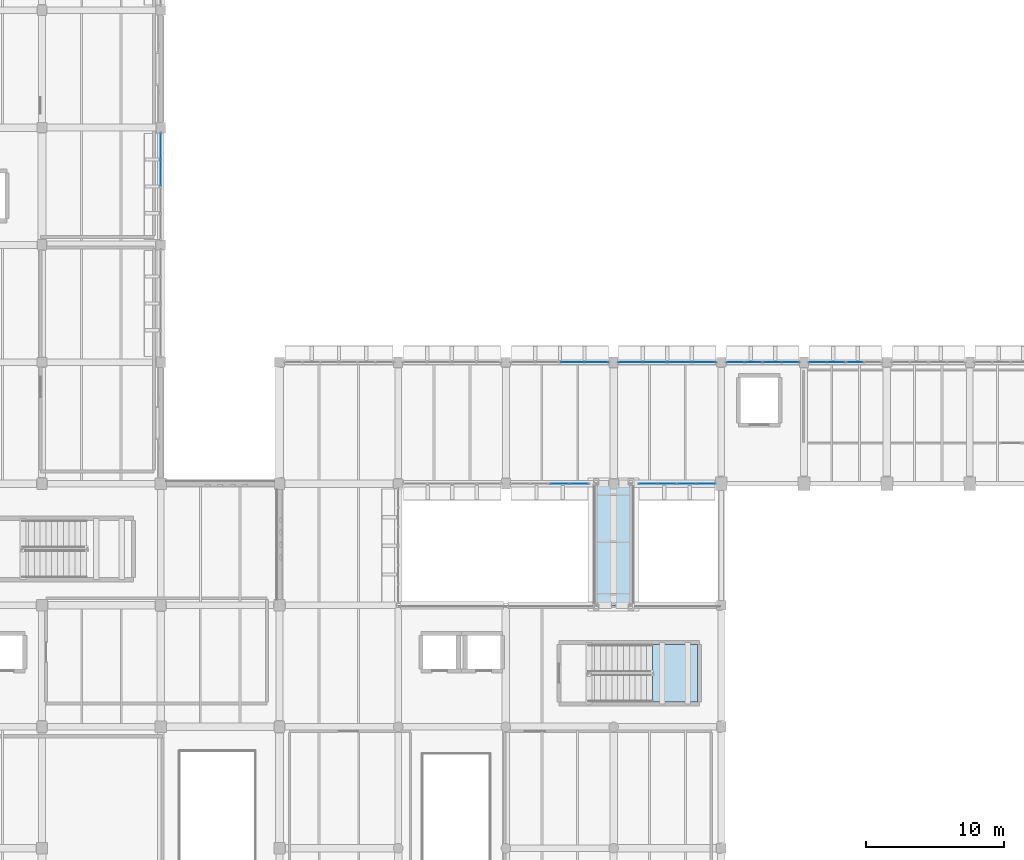
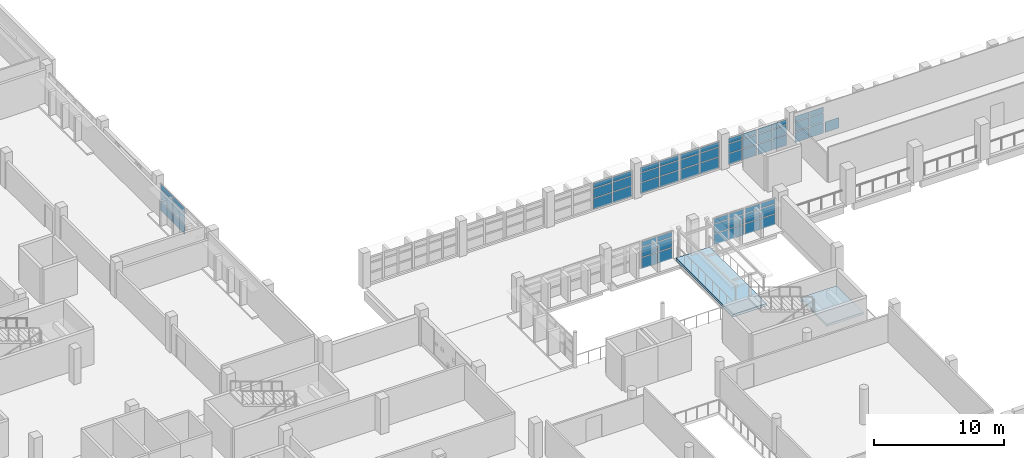
# One storey, part 48 of 75: 61 plates, 2 slabs, 12 elements without a shape of their own.
"""IFC4 building model written with IfcOpenShell, lengths in metres."""

import ifcopenshell
import ifcopenshell.guid

model = None  # the IFC model being written
_history = None  # IfcOwnerHistory: only IFC2X3 demands one
_inside = {}  # id of a spatial element -> (the spatial element, [elements in it])
_under = {}  # id of a project, library or spatial element -> (it, [spatial elements below it])
_declared = {}  # id of a project -> (the project, [libraries it declares])
_typed = {}  # id of a type object -> (the type object, [elements of that type])
_made_of = {}  # id of a material, layer set ... -> (it, [elements and type objects made of it])


def new_model(schema):
    """Start an empty IFC model of exactly this schema.

    Asked for "IFC4X3", IfcOpenShell would pick the latest addendum, in which some entities
    have other attributes; the version numbers below select the first issue.
    IFC2X3 requires an IfcOwnerHistory on every rooted entity: one is made here for all.
    """
    global model, _history
    if schema == "IFC4X3":
        model = ifcopenshell.file(schema_version=(4, 3, 0, 0))
    else:
        model = ifcopenshell.file(schema=schema)
    _inside.clear()
    _under.clear()
    _declared.clear()
    _typed.clear()
    _made_of.clear()
    _history = None
    if model.schema == "IFC2X3":
        org = make("IfcOrganization", Name="unknown")
        user = make(
            "IfcPersonAndOrganization",
            ThePerson=make("IfcPerson", FamilyName="unknown"),
            TheOrganization=org,
        )
        app = make(
            "IfcApplication",
            ApplicationDeveloper=org,
            Version="unknown",
            ApplicationFullName="unknown",
            ApplicationIdentifier="unknown",
        )
        _history = make(
            "IfcOwnerHistory",
            OwningUser=user,
            OwningApplication=app,
            ChangeAction="ADDED",
            CreationDate=0,
        )
    return model


def make(cls, **values):
    """One entity of the class cls with the attributes given. An attribute that is None is left unset."""
    return model.create_entity(
        cls, **{name: value for name, value in values.items() if value is not None}
    )


def rooted(cls, **values):
    """An entity with a GlobalId (a new one), such as an element, a storey or a relation."""
    return make(cls, GlobalId=ifcopenshell.guid.new(), OwnerHistory=_history, **values)


def si_unit(unit_type, name, prefix=None):
    """IfcSIUnit, for example si_unit("LENGTHUNIT", "METRE", prefix="MILLI")."""
    return make("IfcSIUnit", UnitType=unit_type, Prefix=prefix, Name=name)


def assignment(units):
    """IfcUnitAssignment: the units of a project."""
    return None if units is None else make("IfcUnitAssignment", Units=units)


def point(xyz):
    """IfcCartesianPoint."""
    return None if xyz is None else make("IfcCartesianPoint", Coordinates=xyz)


def direction(xyz):
    """IfcDirection."""
    return None if xyz is None else make("IfcDirection", DirectionRatios=xyz)


def frame(location, z_axis=None, x_axis=None):
    """IfcAxis2Placement3D, a coordinate frame: its origin and axes. An axis left out is left unset."""
    return make(
        "IfcAxis2Placement3D",
        Location=point(location),
        Axis=direction(z_axis),
        RefDirection=direction(x_axis),
    )


def frame_2d(location, x_axis=None):
    """IfcAxis2Placement2D, a coordinate frame in the plane: its origin and x axis."""
    return make(
        "IfcAxis2Placement2D", Location=point(location), RefDirection=direction(x_axis)
    )


def origin():
    """The frame at (0, 0, 0) with its axes left unset."""
    return frame((0.0, 0.0, 0.0))


def origin_2d():
    """The frame at (0, 0) in the plane with its x axis left unset."""
    return frame_2d((0.0, 0.0))


def place(relative_to, where):
    """IfcLocalPlacement: puts the frame where relative to a parent placement (None: the world)."""
    return make(
        "IfcLocalPlacement", PlacementRelTo=relative_to, RelativePlacement=where
    )


def context(
    kind, dimensions, precision=None, world=None, true_north=None, identifier=None
):
    """IfcGeometricRepresentationContext, for example the 3D "Model" context."""
    return make(
        "IfcGeometricRepresentationContext",
        ContextIdentifier=identifier,
        ContextType=kind,
        CoordinateSpaceDimension=dimensions,
        Precision=precision,
        WorldCoordinateSystem=world,
        TrueNorth=true_north,
    )


def subcontext(parent, identifier, kind, view, scale=None):
    """IfcGeometricRepresentationSubContext, for example "Body" below "Model"."""
    return make(
        "IfcGeometricRepresentationSubContext",
        ContextIdentifier=identifier,
        ContextType=kind,
        ParentContext=parent,
        TargetScale=scale,
        TargetView=view,
    )


def project(units=None, contexts=None):
    """IfcProject with its units and contexts."""
    return rooted(
        "IfcProject",
        Name="project",
        RepresentationContexts=contexts,
        UnitsInContext=assignment(units),
    )


def spatial(cls, under=None, at=None, **own):
    """A site, building, storey or space (cls), placed at a placement, below another one or the project."""
    s = rooted(cls, ObjectPlacement=at, **own)
    if under is not None:
        _under.setdefault(under.id(), (under, []))[1].append(s)
    return s


def polyline(points):
    """IfcPolyline through the points."""
    return make("IfcPolyline", Points=[point(p) for p in points])


def profile(cls, at=None, kind="AREA", **sizes):
    """A parametric profile (cls). Its sizes go by their IFC names, for example OverallWidth=200.0."""
    return make(cls, ProfileType=kind, Position=at, **sizes)


def rectangle(**sizes):
    """IfcRectangleProfileDef."""
    return profile("IfcRectangleProfileDef", **sizes)


def outline(outer, holes=None, kind="AREA"):
    """IfcArbitraryClosedProfileDef: a profile drawn as a closed curve; with holes, ...WithVoids."""
    if holes is None:
        return make("IfcArbitraryClosedProfileDef", ProfileType=kind, OuterCurve=outer)
    return make(
        "IfcArbitraryProfileDefWithVoids",
        ProfileType=kind,
        OuterCurve=outer,
        InnerCurves=holes,
    )


def extrude(swept, where, along, depth):
    """IfcExtrudedAreaSolid: the profile swept, set in the frame where, extruded along a direction by depth."""
    return make(
        "IfcExtrudedAreaSolid",
        SweptArea=swept,
        Position=where,
        ExtrudedDirection=direction(along),
        Depth=depth,
    )


def shape(context_of_items, identifier, shape_type, items):
    """IfcShapeRepresentation: the items that make up one representation, for example the "Body"."""
    return make(
        "IfcShapeRepresentation",
        ContextOfItems=context_of_items,
        RepresentationIdentifier=identifier,
        RepresentationType=shape_type,
        Items=items,
    )


def material(Name=None, Category=None):
    """IfcMaterial."""
    return make("IfcMaterial", Name=Name, Category=Category)


def layer(
    of_material, thickness, ventilated=None, Name=None, Category=None, Priority=None
):
    """IfcMaterialLayer: one layer of a wall or slab, of a material (None: an air gap)."""
    return make(
        "IfcMaterialLayer",
        Material=of_material,
        LayerThickness=thickness,
        IsVentilated=ventilated,
        Name=Name,
        Category=Category,
        Priority=Priority,
    )


def layer_set(layers, Name=None):
    """IfcMaterialLayerSet."""
    return make("IfcMaterialLayerSet", MaterialLayers=layers, LayerSetName=Name)


def made_of(thing, what):
    """Note that an element or type object is made of a material, layer set ...; save() writes the relation."""
    if what is not None:
        _made_of.setdefault(what.id(), (what, []))[1].append(thing)
    return thing


def type_object(cls, material=None, **own):
    """A type object (cls), such as IfcWallType, which elements share."""
    return made_of(rooted(cls, **own), material)


def element(
    cls,
    number,
    at=None,
    inside=None,
    cuts=None,
    type_object=None,
    material=None,
    context=None,
    identifier="Body",
    shape_type=None,
    held_by="IfcProductDefinitionShape",
    body=None,
    shapes=None,
    **own,
):
    """One element of the class cls, such as IfcWall. Its Tag is "e" and its number.

    at: its placement. inside: the storey or other place that contains it. cuts: it is an
    opening in that element (IfcRelVoidsElement). A single representation is given by context,
    identifier, shape_type and body (its items); several are given by shapes. held_by: the class
    of the entity that holds the representations. save() writes the other relations.
    """
    e = rooted(cls, Tag="e%d" % number, ObjectPlacement=at, **own)
    if body is not None:
        shapes = [shape(context, identifier, shape_type, body)]
    if shapes is not None:
        e.Representation = make(held_by, Representations=shapes)
    if inside is not None:
        _inside.setdefault(inside.id(), (inside, []))[1].append(e)
    if cuts is not None:
        rooted(
            "IfcRelVoidsElement", RelatingBuildingElement=cuts, RelatedOpeningElement=e
        )
    if type_object is not None:
        _typed.setdefault(type_object.id(), (type_object, []))[1].append(e)
    return made_of(e, material)


def aggregate(whole, parts):
    """IfcRelAggregates: a whole, such as a stair, and the parts it consists of."""
    return rooted("IfcRelAggregates", RelatingObject=whole, RelatedObjects=parts)


def save(model, path):
    """Write the relations noted so far, then the file.

    IfcRelAggregates (storeys below a building ...), IfcRelContainedInSpatialStructure (elements
    in a storey), IfcRelDefinesByType, IfcRelAssociatesMaterial and IfcRelDeclares: one each for
    every whole, place, type object, material and project.
    """
    for whole, parts in _under.values():
        aggregate(whole, parts)
    for where, things in _inside.values():
        rooted(
            "IfcRelContainedInSpatialStructure",
            RelatedElements=things,
            RelatingStructure=where,
        )
    for kind, things in _typed.values():
        rooted("IfcRelDefinesByType", RelatedObjects=things, RelatingType=kind)
    for what, things in _made_of.values():
        rooted("IfcRelAssociatesMaterial", RelatedObjects=things, RelatingMaterial=what)
    for by, libraries in _declared.values():
        rooted("IfcRelDeclares", RelatingContext=by, RelatedDefinitions=libraries)
    model.write(path)


model = new_model("IFC4")

# Units and contexts
model_context = context("Model", 3, precision=1e-05, world=origin(), true_north=direction((0.0, 1.0)))
body_context = subcontext(model_context, "Body", "Model", "MODEL_VIEW")
ifc_project = project(units=[si_unit("LENGTHUNIT", "METRE"), si_unit("AREAUNIT", "SQUARE_METRE"), si_unit("VOLUMEUNIT", "CUBIC_METRE"), si_unit("PLANEANGLEUNIT", "RADIAN"), si_unit("MASSUNIT", "GRAM", prefix="KILO")], contexts=[model_context])

# Site, building, storey
site_placement = place(None, origin())
site = spatial("IfcSite", under=ifc_project, at=site_placement, CompositionType="ELEMENT")
building_placement = place(site_placement, origin())
building = spatial("IfcBuilding", under=site, at=building_placement, Name="Varnakota Cinema and Media Centre", CompositionType="ELEMENT")
storey_placement = place(building_placement, frame((0.0, 0.0, 8.39990234375)))
storey = spatial("IfcBuildingStorey", under=building, at=storey_placement, Name="L02", CompositionType="ELEMENT", Elevation=8.39990234375)

# Curtain wall, plates
ifc_material_1 = material(Name="Thermally broken anodised aluminium AW-6063", Category="aluminium")
curtain_wall_type_1 = type_object("IfcCurtainWallType", Name="CW-STD-264x258", PredefinedType="USERDEFINED", material=ifc_material_1)
curtain_wall_1_placement = place(storey_placement, origin())
curtain_wall_1 = element("IfcCurtainWall", 1, at=curtain_wall_1_placement, inside=storey, type_object=curtain_wall_type_1, Name="L02 curtain wall CW-L02-V1-N-01-1", ObjectType="UNITISED CURTAIN WALL", PredefinedType="USERDEFINED")
ifc_material_2 = material(Name="Laminated solar-control double glazing", Category="glass")
ifc_layer_1 = layer(ifc_material_2, 0.028076171875)
ifc_layer_set_1 = layer_set([ifc_layer_1], Name="Laminated solar-control double glazing")
plate_type = type_object("IfcPlateType", Name="CWP-DGU-28", PredefinedType="CURTAIN_PANEL", material=ifc_layer_set_1)
plate_1_placement = place(storey_placement, frame((76.02685546875, 44.0, 0.065185546875), z_axis=(0.0, 0.0, 1.0), x_axis=(1.0, 0.0, 0.0)))
plate_1 = element("IfcPlate", 2, at=plate_1_placement, type_object=plate_type, Name="CW29 panel 1.1", PredefinedType="CURTAIN_PANEL", context=body_context, shape_type="SweptSolid", body=[
    extrude(rectangle(XDim=1.2236328125, YDim=0.028076171875, at=origin_2d()), origin(), (0.0, 0.0, 1.0), 0.98388671875),
])
plate_2_placement = place(storey_placement, frame((76.02685546875, 44.0, 1.1142578125), z_axis=(0.0, 0.0, 1.0), x_axis=(1.0, 0.0, 0.0)))
plate_2 = element("IfcPlate", 3, at=plate_2_placement, type_object=plate_type, Name="CW29 panel 1.2", PredefinedType="CURTAIN_PANEL", context=body_context, shape_type="SweptSolid", body=[
    extrude(rectangle(XDim=1.2236328125, YDim=0.028076171875, at=origin_2d()), origin(), (0.0, 0.0, 1.0), 0.862060546875),
])
plate_3_placement = place(storey_placement, frame((76.02685546875, 44.0, 2.041015625), z_axis=(0.0, 0.0, 1.0), x_axis=(1.0, 0.0, 0.0)))
plate_3 = element("IfcPlate", 4, at=plate_3_placement, type_object=plate_type, Name="CW29 panel 1.3", PredefinedType="CURTAIN_PANEL", context=body_context, shape_type="SweptSolid", body=[
    extrude(rectangle(XDim=1.2236328125, YDim=0.028076171875, at=origin_2d()), origin(), (0.0, 0.0, 1.0), 0.468994140625),
])
plate_4_placement = place(storey_placement, frame((77.315673828125, 44.0, 0.065185546875), z_axis=(0.0, 0.0, 1.0), x_axis=(1.0, 0.0, 0.0)))
plate_4 = element("IfcPlate", 5, at=plate_4_placement, type_object=plate_type, Name="CW29 panel 2.1", PredefinedType="CURTAIN_PANEL", context=body_context, shape_type="SweptSolid", body=[
    extrude(rectangle(XDim=1.2236328125, YDim=0.028076171875, at=origin_2d()), origin(), (0.0, 0.0, 1.0), 0.98388671875),
])
plate_5_placement = place(storey_placement, frame((77.315673828125, 44.0, 1.1142578125), z_axis=(0.0, 0.0, 1.0), x_axis=(1.0, 0.0, 0.0)))
plate_5 = element("IfcPlate", 6, at=plate_5_placement, type_object=plate_type, Name="CW29 panel 2.2", PredefinedType="CURTAIN_PANEL", context=body_context, shape_type="SweptSolid", body=[
    extrude(rectangle(XDim=1.2236328125, YDim=0.028076171875, at=origin_2d()), origin(), (0.0, 0.0, 1.0), 0.862060546875),
])
plate_6_placement = place(storey_placement, frame((77.315673828125, 44.0, 2.041015625), z_axis=(0.0, 0.0, 1.0), x_axis=(1.0, 0.0, 0.0)))
plate_6 = element("IfcPlate", 7, at=plate_6_placement, type_object=plate_type, Name="CW29 panel 2.3", PredefinedType="CURTAIN_PANEL", context=body_context, shape_type="SweptSolid", body=[
    extrude(rectangle(XDim=1.2236328125, YDim=0.028076171875, at=origin_2d()), origin(), (0.0, 0.0, 1.0), 0.468994140625),
])
aggregate(curtain_wall_1, [plate_1, plate_2, plate_3, plate_4, plate_5, plate_6])

curtain_wall_2_placement = place(storey_placement, origin())
curtain_wall_2 = element("IfcCurtainWall", 8, at=curtain_wall_2_placement, inside=storey, type_object=curtain_wall_type_1, Name="L02 curtain wall CW-L02-V1-N-01-2", ObjectType="UNITISED CURTAIN WALL", PredefinedType="USERDEFINED")
plate_7_placement = place(storey_placement, frame((78.70947265625, 44.0, 0.065185546875), z_axis=(0.0, 0.0, 1.0), x_axis=(1.0, 0.0, 0.0)))
plate_7 = element("IfcPlate", 9, at=plate_7_placement, type_object=plate_type, Name="CW29 panel 1.1", PredefinedType="CURTAIN_PANEL", context=body_context, shape_type="SweptSolid", body=[
    extrude(rectangle(XDim=1.2236328125, YDim=0.028076171875, at=origin_2d()), origin(), (0.0, 0.0, 1.0), 0.98388671875),
])
plate_8_placement = place(storey_placement, frame((78.70947265625, 44.0, 1.1142578125), z_axis=(0.0, 0.0, 1.0), x_axis=(1.0, 0.0, 0.0)))
plate_8 = element("IfcPlate", 10, at=plate_8_placement, type_object=plate_type, Name="CW29 panel 1.2", PredefinedType="CURTAIN_PANEL", context=body_context, shape_type="SweptSolid", body=[
    extrude(rectangle(XDim=1.2236328125, YDim=0.028076171875, at=origin_2d()), origin(), (0.0, 0.0, 1.0), 0.862060546875),
])
plate_9_placement = place(storey_placement, frame((78.70947265625, 44.0, 2.041015625), z_axis=(0.0, 0.0, 1.0), x_axis=(1.0, 0.0, 0.0)))
plate_9 = element("IfcPlate", 11, at=plate_9_placement, type_object=plate_type, Name="CW29 panel 1.3", PredefinedType="CURTAIN_PANEL", context=body_context, shape_type="SweptSolid", body=[
    extrude(rectangle(XDim=1.2236328125, YDim=0.028076171875, at=origin_2d()), origin(), (0.0, 0.0, 1.0), 0.468994140625),
])
plate_10_placement = place(storey_placement, frame((79.998046875, 44.0, 0.065185546875), z_axis=(0.0, 0.0, 1.0), x_axis=(1.0, 0.0, 0.0)))
plate_10 = element("IfcPlate", 12, at=plate_10_placement, type_object=plate_type, Name="CW29 panel 2.1", PredefinedType="CURTAIN_PANEL", context=body_context, shape_type="SweptSolid", body=[
    extrude(rectangle(XDim=1.2236328125, YDim=0.028076171875, at=origin_2d()), origin(), (0.0, 0.0, 1.0), 0.98388671875),
])
plate_11_placement = place(storey_placement, frame((79.998046875, 44.0, 1.1142578125), z_axis=(0.0, 0.0, 1.0), x_axis=(1.0, 0.0, 0.0)))
plate_11 = element("IfcPlate", 13, at=plate_11_placement, type_object=plate_type, Name="CW29 panel 2.2", PredefinedType="CURTAIN_PANEL", context=body_context, shape_type="SweptSolid", body=[
    extrude(rectangle(XDim=1.2236328125, YDim=0.028076171875, at=origin_2d()), origin(), (0.0, 0.0, 1.0), 0.862060546875),
])
plate_12_placement = place(storey_placement, frame((79.998046875, 44.0, 2.041015625), z_axis=(0.0, 0.0, 1.0), x_axis=(1.0, 0.0, 0.0)))
plate_12 = element("IfcPlate", 14, at=plate_12_placement, type_object=plate_type, Name="CW29 panel 2.3", PredefinedType="CURTAIN_PANEL", context=body_context, shape_type="SweptSolid", body=[
    extrude(rectangle(XDim=1.2236328125, YDim=0.028076171875, at=origin_2d()), origin(), (0.0, 0.0, 1.0), 0.468994140625),
])
aggregate(curtain_wall_2, [plate_7, plate_8, plate_9, plate_10, plate_11, plate_12])

curtain_wall_3_placement = place(storey_placement, origin())
curtain_wall_3 = element("IfcCurtainWall", 15, at=curtain_wall_3_placement, inside=storey, type_object=curtain_wall_type_1, Name="L02 curtain wall CW-L02-V1-N-02-1", ObjectType="UNITISED CURTAIN WALL", PredefinedType="USERDEFINED")
plate_13_placement = place(storey_placement, frame((82.001953125, 44.0, 0.065185546875), z_axis=(0.0, 0.0, 1.0), x_axis=(1.0, 0.0, 0.0)))
plate_13 = element("IfcPlate", 16, at=plate_13_placement, type_object=plate_type, Name="CW29 panel 1.1", PredefinedType="CURTAIN_PANEL", context=body_context, shape_type="SweptSolid", body=[
    extrude(rectangle(XDim=1.2236328125, YDim=0.028076171875, at=origin_2d()), origin(), (0.0, 0.0, 1.0), 0.98388671875),
])
plate_14_placement = place(storey_placement, frame((82.001953125, 44.0, 1.1142578125), z_axis=(0.0, 0.0, 1.0), x_axis=(1.0, 0.0, 0.0)))
plate_14 = element("IfcPlate", 17, at=plate_14_placement, type_object=plate_type, Name="CW29 panel 1.2", PredefinedType="CURTAIN_PANEL", context=body_context, shape_type="SweptSolid", body=[
    extrude(rectangle(XDim=1.2236328125, YDim=0.028076171875, at=origin_2d()), origin(), (0.0, 0.0, 1.0), 0.862060546875),
])
plate_15_placement = place(storey_placement, frame((82.001953125, 44.0, 2.041015625), z_axis=(0.0, 0.0, 1.0), x_axis=(1.0, 0.0, 0.0)))
plate_15 = element("IfcPlate", 18, at=plate_15_placement, type_object=plate_type, Name="CW29 panel 1.3", PredefinedType="CURTAIN_PANEL", context=body_context, shape_type="SweptSolid", body=[
    extrude(rectangle(XDim=1.2236328125, YDim=0.028076171875, at=origin_2d()), origin(), (0.0, 0.0, 1.0), 0.468994140625),
])
plate_16_placement = place(storey_placement, frame((83.29052734375, 44.0, 0.065185546875), z_axis=(0.0, 0.0, 1.0), x_axis=(1.0, 0.0, 0.0)))
plate_16 = element("IfcPlate", 19, at=plate_16_placement, type_object=plate_type, Name="CW29 panel 2.1", PredefinedType="CURTAIN_PANEL", context=body_context, shape_type="SweptSolid", body=[
    extrude(rectangle(XDim=1.2236328125, YDim=0.028076171875, at=origin_2d()), origin(), (0.0, 0.0, 1.0), 0.98388671875),
])
plate_17_placement = place(storey_placement, frame((83.29052734375, 44.0, 1.1142578125), z_axis=(0.0, 0.0, 1.0), x_axis=(1.0, 0.0, 0.0)))
plate_17 = element("IfcPlate", 20, at=plate_17_placement, type_object=plate_type, Name="CW29 panel 2.2", PredefinedType="CURTAIN_PANEL", context=body_context, shape_type="SweptSolid", body=[
    extrude(rectangle(XDim=1.2236328125, YDim=0.028076171875, at=origin_2d()), origin(), (0.0, 0.0, 1.0), 0.862060546875),
])
plate_18_placement = place(storey_placement, frame((83.29052734375, 44.0, 2.041015625), z_axis=(0.0, 0.0, 1.0), x_axis=(1.0, 0.0, 0.0)))
plate_18 = element("IfcPlate", 21, at=plate_18_placement, type_object=plate_type, Name="CW29 panel 2.3", PredefinedType="CURTAIN_PANEL", context=body_context, shape_type="SweptSolid", body=[
    extrude(rectangle(XDim=1.2236328125, YDim=0.028076171875, at=origin_2d()), origin(), (0.0, 0.0, 1.0), 0.468994140625),
])
aggregate(curtain_wall_3, [plate_13, plate_14, plate_15, plate_16, plate_17, plate_18])

# Curtain wall, plate
curtain_wall_4_placement = place(storey_placement, origin())
curtain_wall_4 = element("IfcCurtainWall", 22, at=curtain_wall_4_placement, inside=storey, type_object=curtain_wall_type_1, Name="L02 curtain wall CW-L02-V1-N-02-2", ObjectType="UNITISED CURTAIN WALL", PredefinedType="USERDEFINED")
plate_19_placement = place(storey_placement, frame((84.684326171875, 44.0, 0.065185546875), z_axis=(0.0, 0.0, 1.0), x_axis=(1.0, 0.0, 0.0)))
plate_19 = element("IfcPlate", 23, at=plate_19_placement, type_object=plate_type, Name="CW29 panel 1.1", PredefinedType="CURTAIN_PANEL", context=body_context, shape_type="SweptSolid", body=[
    extrude(rectangle(XDim=1.2236328125, YDim=0.028076171875, at=origin_2d()), origin(), (0.0, 0.0, 1.0), 0.98388671875),
])
aggregate(curtain_wall_4, [plate_19])

# Curtain wall, plates
ifc_material_3 = material(Name="Thermally broken anodised aluminium AW-6063", Category="aluminium")
curtain_wall_type_2 = type_object("IfcCurtainWallType", Name="CW-STD-354x258", PredefinedType="USERDEFINED", material=ifc_material_3)
curtain_wall_5_placement = place(storey_placement, origin())
curtain_wall_5 = element("IfcCurtainWall", 24, at=curtain_wall_5_placement, inside=storey, type_object=curtain_wall_type_2, Name="L02 curtain wall CW-L02-LINK-N-03-2", ObjectType="UNITISED CURTAIN WALL", PredefinedType="USERDEFINED")
plate_20_placement = place(storey_placement, frame((64.234375, 44.0, 0.065185546875), z_axis=(0.0, 0.0, 1.0), x_axis=(1.0, 0.0, 0.0)))
plate_20 = element("IfcPlate", 25, at=plate_20_placement, type_object=plate_type, Name="CW31 panel 1.1", PredefinedType="CURTAIN_PANEL", context=body_context, shape_type="SweptSolid", body=[
    extrude(rectangle(XDim=1.673828125, YDim=0.028076171875, at=origin_2d()), origin(), (0.0, 0.0, 1.0), 0.98388671875),
])
plate_21_placement = place(storey_placement, frame((64.234375, 44.0, 1.1142578125), z_axis=(0.0, 0.0, 1.0), x_axis=(1.0, 0.0, 0.0)))
plate_21 = element("IfcPlate", 26, at=plate_21_placement, type_object=plate_type, Name="CW31 panel 1.2", PredefinedType="CURTAIN_PANEL", context=body_context, shape_type="SweptSolid", body=[
    extrude(rectangle(XDim=1.673828125, YDim=0.028076171875, at=origin_2d()), origin(), (0.0, 0.0, 1.0), 0.862060546875),
])
plate_22_placement = place(storey_placement, frame((64.234375, 44.0, 2.041015625), z_axis=(0.0, 0.0, 1.0), x_axis=(1.0, 0.0, 0.0)))
plate_22 = element("IfcPlate", 27, at=plate_22_placement, type_object=plate_type, Name="CW31 panel 1.3", PredefinedType="CURTAIN_PANEL", context=body_context, shape_type="SweptSolid", body=[
    extrude(rectangle(XDim=1.673828125, YDim=0.028076171875, at=origin_2d()), origin(), (0.0, 0.0, 1.0), 0.468994140625),
])
plate_23_placement = place(storey_placement, frame((65.97314453125, 44.0, 0.065185546875), z_axis=(0.0, 0.0, 1.0), x_axis=(1.0, 0.0, 0.0)))
plate_23 = element("IfcPlate", 28, at=plate_23_placement, type_object=plate_type, Name="CW31 panel 2.1", PredefinedType="CURTAIN_PANEL", context=body_context, shape_type="SweptSolid", body=[
    extrude(rectangle(XDim=1.673828125, YDim=0.028076171875, at=origin_2d()), origin(), (0.0, 0.0, 1.0), 0.98388671875),
])
plate_24_placement = place(storey_placement, frame((65.97314453125, 44.0, 1.1142578125), z_axis=(0.0, 0.0, 1.0), x_axis=(1.0, 0.0, 0.0)))
plate_24 = element("IfcPlate", 29, at=plate_24_placement, type_object=plate_type, Name="CW31 panel 2.2", PredefinedType="CURTAIN_PANEL", context=body_context, shape_type="SweptSolid", body=[
    extrude(rectangle(XDim=1.673828125, YDim=0.028076171875, at=origin_2d()), origin(), (0.0, 0.0, 1.0), 0.862060546875),
])
plate_25_placement = place(storey_placement, frame((65.97314453125, 44.0, 2.041015625), z_axis=(0.0, 0.0, 1.0), x_axis=(1.0, 0.0, 0.0)))
plate_25 = element("IfcPlate", 30, at=plate_25_placement, type_object=plate_type, Name="CW31 panel 2.3", PredefinedType="CURTAIN_PANEL", context=body_context, shape_type="SweptSolid", body=[
    extrude(rectangle(XDim=1.673828125, YDim=0.028076171875, at=origin_2d()), origin(), (0.0, 0.0, 1.0), 0.468994140625),
])
aggregate(curtain_wall_5, [plate_20, plate_21, plate_22, plate_23, plate_24, plate_25])

curtain_wall_6_placement = place(storey_placement, origin())
curtain_wall_6 = element("IfcCurtainWall", 31, at=curtain_wall_6_placement, inside=storey, type_object=curtain_wall_type_2, Name="L02 curtain wall CW-L02-LINK-N-04-1", ObjectType="UNITISED CURTAIN WALL", PredefinedType="USERDEFINED")
plate_26_placement = place(storey_placement, frame((68.4267578125, 44.0, 0.065185546875), z_axis=(0.0, 0.0, 1.0), x_axis=(1.0, 0.0, 0.0)))
plate_26 = element("IfcPlate", 32, at=plate_26_placement, type_object=plate_type, Name="CW31 panel 1.1", PredefinedType="CURTAIN_PANEL", context=body_context, shape_type="SweptSolid", body=[
    extrude(rectangle(XDim=1.673828125, YDim=0.028076171875, at=origin_2d()), origin(), (0.0, 0.0, 1.0), 0.98388671875),
])
plate_27_placement = place(storey_placement, frame((68.4267578125, 44.0, 1.1142578125), z_axis=(0.0, 0.0, 1.0), x_axis=(1.0, 0.0, 0.0)))
plate_27 = element("IfcPlate", 33, at=plate_27_placement, type_object=plate_type, Name="CW31 panel 1.2", PredefinedType="CURTAIN_PANEL", context=body_context, shape_type="SweptSolid", body=[
    extrude(rectangle(XDim=1.673828125, YDim=0.028076171875, at=origin_2d()), origin(), (0.0, 0.0, 1.0), 0.862060546875),
])
plate_28_placement = place(storey_placement, frame((68.4267578125, 44.0, 2.041015625), z_axis=(0.0, 0.0, 1.0), x_axis=(1.0, 0.0, 0.0)))
plate_28 = element("IfcPlate", 34, at=plate_28_placement, type_object=plate_type, Name="CW31 panel 1.3", PredefinedType="CURTAIN_PANEL", context=body_context, shape_type="SweptSolid", body=[
    extrude(rectangle(XDim=1.673828125, YDim=0.028076171875, at=origin_2d()), origin(), (0.0, 0.0, 1.0), 0.468994140625),
])
plate_29_placement = place(storey_placement, frame((70.16552734375, 44.0, 0.065185546875), z_axis=(0.0, 0.0, 1.0), x_axis=(1.0, 0.0, 0.0)))
plate_29 = element("IfcPlate", 35, at=plate_29_placement, type_object=plate_type, Name="CW31 panel 2.1", PredefinedType="CURTAIN_PANEL", context=body_context, shape_type="SweptSolid", body=[
    extrude(rectangle(XDim=1.673828125, YDim=0.028076171875, at=origin_2d()), origin(), (0.0, 0.0, 1.0), 0.98388671875),
])
plate_30_placement = place(storey_placement, frame((70.16552734375, 44.0, 1.1142578125), z_axis=(0.0, 0.0, 1.0), x_axis=(1.0, 0.0, 0.0)))
plate_30 = element("IfcPlate", 36, at=plate_30_placement, type_object=plate_type, Name="CW31 panel 2.2", PredefinedType="CURTAIN_PANEL", context=body_context, shape_type="SweptSolid", body=[
    extrude(rectangle(XDim=1.673828125, YDim=0.028076171875, at=origin_2d()), origin(), (0.0, 0.0, 1.0), 0.862060546875),
])
plate_31_placement = place(storey_placement, frame((70.16552734375, 44.0, 2.041015625), z_axis=(0.0, 0.0, 1.0), x_axis=(1.0, 0.0, 0.0)))
plate_31 = element("IfcPlate", 37, at=plate_31_placement, type_object=plate_type, Name="CW31 panel 2.3", PredefinedType="CURTAIN_PANEL", context=body_context, shape_type="SweptSolid", body=[
    extrude(rectangle(XDim=1.673828125, YDim=0.028076171875, at=origin_2d()), origin(), (0.0, 0.0, 1.0), 0.468994140625),
])
aggregate(curtain_wall_6, [plate_26, plate_27, plate_28, plate_29, plate_30, plate_31])

curtain_wall_7_placement = place(storey_placement, origin())
curtain_wall_7 = element("IfcCurtainWall", 38, at=curtain_wall_7_placement, inside=storey, type_object=curtain_wall_type_2, Name="L02 curtain wall CW-L02-LINK-N-04-2", ObjectType="UNITISED CURTAIN WALL", PredefinedType="USERDEFINED")
plate_32_placement = place(storey_placement, frame((72.00927734375, 44.0, 0.065185546875), z_axis=(0.0, 0.0, 1.0), x_axis=(1.0, 0.0, 0.0)))
plate_32 = element("IfcPlate", 39, at=plate_32_placement, type_object=plate_type, Name="CW31 panel 1.1", PredefinedType="CURTAIN_PANEL", context=body_context, shape_type="SweptSolid", body=[
    extrude(rectangle(XDim=1.673828125, YDim=0.028076171875, at=origin_2d()), origin(), (0.0, 0.0, 1.0), 0.98388671875),
])
plate_33_placement = place(storey_placement, frame((72.00927734375, 44.0, 1.1142578125), z_axis=(0.0, 0.0, 1.0), x_axis=(1.0, 0.0, 0.0)))
plate_33 = element("IfcPlate", 40, at=plate_33_placement, type_object=plate_type, Name="CW31 panel 1.2", PredefinedType="CURTAIN_PANEL", context=body_context, shape_type="SweptSolid", body=[
    extrude(rectangle(XDim=1.673828125, YDim=0.028076171875, at=origin_2d()), origin(), (0.0, 0.0, 1.0), 0.862060546875),
])
plate_34_placement = place(storey_placement, frame((72.00927734375, 44.0, 2.041015625), z_axis=(0.0, 0.0, 1.0), x_axis=(1.0, 0.0, 0.0)))
plate_34 = element("IfcPlate", 41, at=plate_34_placement, type_object=plate_type, Name="CW31 panel 1.3", PredefinedType="CURTAIN_PANEL", context=body_context, shape_type="SweptSolid", body=[
    extrude(rectangle(XDim=1.673828125, YDim=0.028076171875, at=origin_2d()), origin(), (0.0, 0.0, 1.0), 0.468994140625),
])
plate_35_placement = place(storey_placement, frame((73.748046875, 44.0, 0.065185546875), z_axis=(0.0, 0.0, 1.0), x_axis=(1.0, 0.0, 0.0)))
plate_35 = element("IfcPlate", 42, at=plate_35_placement, type_object=plate_type, Name="CW31 panel 2.1", PredefinedType="CURTAIN_PANEL", context=body_context, shape_type="SweptSolid", body=[
    extrude(rectangle(XDim=1.673828125, YDim=0.028076171875, at=origin_2d()), origin(), (0.0, 0.0, 1.0), 0.98388671875),
])
plate_36_placement = place(storey_placement, frame((73.748046875, 44.0, 1.1142578125), z_axis=(0.0, 0.0, 1.0), x_axis=(1.0, 0.0, 0.0)))
plate_36 = element("IfcPlate", 43, at=plate_36_placement, type_object=plate_type, Name="CW31 panel 2.2", PredefinedType="CURTAIN_PANEL", context=body_context, shape_type="SweptSolid", body=[
    extrude(rectangle(XDim=1.673828125, YDim=0.028076171875, at=origin_2d()), origin(), (0.0, 0.0, 1.0), 0.862060546875),
])
plate_37_placement = place(storey_placement, frame((73.748046875, 44.0, 2.041015625), z_axis=(0.0, 0.0, 1.0), x_axis=(1.0, 0.0, 0.0)))
plate_37 = element("IfcPlate", 44, at=plate_37_placement, type_object=plate_type, Name="CW31 panel 2.3", PredefinedType="CURTAIN_PANEL", context=body_context, shape_type="SweptSolid", body=[
    extrude(rectangle(XDim=1.673828125, YDim=0.028076171875, at=origin_2d()), origin(), (0.0, 0.0, 1.0), 0.468994140625),
])
aggregate(curtain_wall_7, [plate_32, plate_33, plate_34, plate_35, plate_36, plate_37])

ifc_material_4 = material(Name="Thermally broken anodised aluminium AW-6063", Category="aluminium")
curtain_wall_type_3 = type_object("IfcCurtainWallType", Name="CW-STD-282x268", PredefinedType="USERDEFINED", material=ifc_material_4)
curtain_wall_8_placement = place(storey_placement, origin())
curtain_wall_8 = element("IfcCurtainWall", 45, at=curtain_wall_8_placement, inside=storey, type_object=curtain_wall_type_3, Name="L02 curtain wall CW-L02-LINK-S-W-01-1", ObjectType="UNITISED CURTAIN WALL", PredefinedType="USERDEFINED")
plate_38_placement = place(storey_placement, frame((64.679443359375, 35.199951171875, 0.065185546875), z_axis=(0.0, 0.0, 1.0), x_axis=(-1.0, 0.0, 0.0)))
plate_38 = element("IfcPlate", 46, at=plate_38_placement, type_object=plate_type, Name="CW32 panel 1.1", PredefinedType="CURTAIN_PANEL", context=body_context, shape_type="SweptSolid", body=[
    extrude(rectangle(XDim=1.311279296875, YDim=0.028076171875, at=origin_2d()), origin(), (0.0, 0.0, 1.0), 1.02587890625),
])
plate_39_placement = place(storey_placement, frame((64.679443359375, 35.199951171875, 1.156005859375), z_axis=(0.0, 0.0, 1.0), x_axis=(-1.0, 0.0, 0.0)))
plate_39 = element("IfcPlate", 47, at=plate_39_placement, type_object=plate_type, Name="CW32 panel 1.2", PredefinedType="CURTAIN_PANEL", context=body_context, shape_type="SweptSolid", body=[
    extrude(rectangle(XDim=1.311279296875, YDim=0.028076171875, at=origin_2d()), origin(), (0.0, 0.0, 1.0), 0.89794921875),
])
plate_40_placement = place(storey_placement, frame((64.679443359375, 35.199951171875, 2.119140625), z_axis=(0.0, 0.0, 1.0), x_axis=(-1.0, 0.0, 0.0)))
plate_40 = element("IfcPlate", 48, at=plate_40_placement, type_object=plate_type, Name="CW32 panel 1.3", PredefinedType="CURTAIN_PANEL", context=body_context, shape_type="SweptSolid", body=[
    extrude(rectangle(XDim=1.311279296875, YDim=0.028076171875, at=origin_2d()), origin(), (0.0, 0.0, 1.0), 0.490966796875),
])
plate_41_placement = place(storey_placement, frame((63.30322265625, 35.199951171875, 0.065185546875), z_axis=(0.0, 0.0, 1.0), x_axis=(-1.0, 0.0, 0.0)))
plate_41 = element("IfcPlate", 49, at=plate_41_placement, type_object=plate_type, Name="CW32 panel 2.1", PredefinedType="CURTAIN_PANEL", context=body_context, shape_type="SweptSolid", body=[
    extrude(rectangle(XDim=1.311279296875, YDim=0.028076171875, at=origin_2d()), origin(), (0.0, 0.0, 1.0), 1.02587890625),
])
plate_42_placement = place(storey_placement, frame((63.30322265625, 35.199951171875, 1.156005859375), z_axis=(0.0, 0.0, 1.0), x_axis=(-1.0, 0.0, 0.0)))
plate_42 = element("IfcPlate", 50, at=plate_42_placement, type_object=plate_type, Name="CW32 panel 2.2", PredefinedType="CURTAIN_PANEL", context=body_context, shape_type="SweptSolid", body=[
    extrude(rectangle(XDim=1.311279296875, YDim=0.028076171875, at=origin_2d()), origin(), (0.0, 0.0, 1.0), 0.89794921875),
])
plate_43_placement = place(storey_placement, frame((63.30322265625, 35.199951171875, 2.119140625), z_axis=(0.0, 0.0, 1.0), x_axis=(-1.0, 0.0, 0.0)))
plate_43 = element("IfcPlate", 51, at=plate_43_placement, type_object=plate_type, Name="CW32 panel 2.3", PredefinedType="CURTAIN_PANEL", context=body_context, shape_type="SweptSolid", body=[
    extrude(rectangle(XDim=1.311279296875, YDim=0.028076171875, at=origin_2d()), origin(), (0.0, 0.0, 1.0), 0.490966796875),
])
aggregate(curtain_wall_8, [plate_38, plate_39, plate_40, plate_41, plate_42, plate_43])

ifc_material_5 = material(Name="Thermally broken anodised aluminium AW-6063", Category="aluminium")
curtain_wall_type_4 = type_object("IfcCurtainWallType", Name="CW-STD-277x258", PredefinedType="USERDEFINED", material=ifc_material_5)
curtain_wall_9_placement = place(storey_placement, origin())
curtain_wall_9 = element("IfcCurtainWall", 52, at=curtain_wall_9_placement, inside=storey, type_object=curtain_wall_type_4, Name="L02 curtain wall CW-L02-LINK-S-E-01-1", ObjectType="UNITISED CURTAIN WALL", PredefinedType="USERDEFINED")
plate_44_placement = place(storey_placement, frame((73.866943359375, 35.199951171875, 0.065185546875), z_axis=(0.0, 0.0, 1.0), x_axis=(-1.0, 0.0, 0.0)))
plate_44 = element("IfcPlate", 53, at=plate_44_placement, type_object=plate_type, Name="CW34 panel 1.1", PredefinedType="CURTAIN_PANEL", context=body_context, shape_type="SweptSolid", body=[
    extrude(rectangle(XDim=1.2861328125, YDim=0.028076171875, at=origin_2d()), origin(), (0.0, 0.0, 1.0), 0.98388671875),
])
plate_45_placement = place(storey_placement, frame((73.866943359375, 35.199951171875, 1.1142578125), z_axis=(0.0, 0.0, 1.0), x_axis=(-1.0, 0.0, 0.0)))
plate_45 = element("IfcPlate", 54, at=plate_45_placement, type_object=plate_type, Name="CW34 panel 1.2", PredefinedType="CURTAIN_PANEL", context=body_context, shape_type="SweptSolid", body=[
    extrude(rectangle(XDim=1.2861328125, YDim=0.028076171875, at=origin_2d()), origin(), (0.0, 0.0, 1.0), 0.862060546875),
])
plate_46_placement = place(storey_placement, frame((73.866943359375, 35.199951171875, 2.041015625), z_axis=(0.0, 0.0, 1.0), x_axis=(-1.0, 0.0, 0.0)))
plate_46 = element("IfcPlate", 55, at=plate_46_placement, type_object=plate_type, Name="CW34 panel 1.3", PredefinedType="CURTAIN_PANEL", context=body_context, shape_type="SweptSolid", body=[
    extrude(rectangle(XDim=1.2861328125, YDim=0.028076171875, at=origin_2d()), origin(), (0.0, 0.0, 1.0), 0.468994140625),
])
plate_47_placement = place(storey_placement, frame((72.515625, 35.199951171875, 0.065185546875), z_axis=(0.0, 0.0, 1.0), x_axis=(-1.0, 0.0, 0.0)))
plate_47 = element("IfcPlate", 56, at=plate_47_placement, type_object=plate_type, Name="CW34 panel 2.1", PredefinedType="CURTAIN_PANEL", context=body_context, shape_type="SweptSolid", body=[
    extrude(rectangle(XDim=1.2861328125, YDim=0.028076171875, at=origin_2d()), origin(), (0.0, 0.0, 1.0), 0.98388671875),
])
plate_48_placement = place(storey_placement, frame((72.515625, 35.199951171875, 1.1142578125), z_axis=(0.0, 0.0, 1.0), x_axis=(-1.0, 0.0, 0.0)))
plate_48 = element("IfcPlate", 57, at=plate_48_placement, type_object=plate_type, Name="CW34 panel 2.2", PredefinedType="CURTAIN_PANEL", context=body_context, shape_type="SweptSolid", body=[
    extrude(rectangle(XDim=1.2861328125, YDim=0.028076171875, at=origin_2d()), origin(), (0.0, 0.0, 1.0), 0.862060546875),
])
plate_49_placement = place(storey_placement, frame((72.515625, 35.199951171875, 2.041015625), z_axis=(0.0, 0.0, 1.0), x_axis=(-1.0, 0.0, 0.0)))
plate_49 = element("IfcPlate", 58, at=plate_49_placement, type_object=plate_type, Name="CW34 panel 2.3", PredefinedType="CURTAIN_PANEL", context=body_context, shape_type="SweptSolid", body=[
    extrude(rectangle(XDim=1.2861328125, YDim=0.028076171875, at=origin_2d()), origin(), (0.0, 0.0, 1.0), 0.468994140625),
])
aggregate(curtain_wall_9, [plate_44, plate_45, plate_46, plate_47, plate_48, plate_49])

curtain_wall_10_placement = place(storey_placement, origin())
curtain_wall_10 = element("IfcCurtainWall", 59, at=curtain_wall_10_placement, inside=storey, type_object=curtain_wall_type_4, Name="L02 curtain wall CW-L02-LINK-S-E-01-2", ObjectType="UNITISED CURTAIN WALL", PredefinedType="USERDEFINED")
plate_50_placement = place(storey_placement, frame((71.059326171875, 35.199951171875, 0.065185546875), z_axis=(0.0, 0.0, 1.0), x_axis=(-1.0, 0.0, 0.0)))
plate_50 = element("IfcPlate", 60, at=plate_50_placement, type_object=plate_type, Name="CW34 panel 1.1", PredefinedType="CURTAIN_PANEL", context=body_context, shape_type="SweptSolid", body=[
    extrude(rectangle(XDim=1.2861328125, YDim=0.028076171875, at=origin_2d()), origin(), (0.0, 0.0, 1.0), 0.98388671875),
])
plate_51_placement = place(storey_placement, frame((71.059326171875, 35.199951171875, 1.1142578125), z_axis=(0.0, 0.0, 1.0), x_axis=(-1.0, 0.0, 0.0)))
plate_51 = element("IfcPlate", 61, at=plate_51_placement, type_object=plate_type, Name="CW34 panel 1.2", PredefinedType="CURTAIN_PANEL", context=body_context, shape_type="SweptSolid", body=[
    extrude(rectangle(XDim=1.2861328125, YDim=0.028076171875, at=origin_2d()), origin(), (0.0, 0.0, 1.0), 0.862060546875),
])
plate_52_placement = place(storey_placement, frame((71.059326171875, 35.199951171875, 2.041015625), z_axis=(0.0, 0.0, 1.0), x_axis=(-1.0, 0.0, 0.0)))
plate_52 = element("IfcPlate", 62, at=plate_52_placement, type_object=plate_type, Name="CW34 panel 1.3", PredefinedType="CURTAIN_PANEL", context=body_context, shape_type="SweptSolid", body=[
    extrude(rectangle(XDim=1.2861328125, YDim=0.028076171875, at=origin_2d()), origin(), (0.0, 0.0, 1.0), 0.468994140625),
])
plate_53_placement = place(storey_placement, frame((69.7080078125, 35.199951171875, 0.065185546875), z_axis=(0.0, 0.0, 1.0), x_axis=(-1.0, 0.0, 0.0)))
plate_53 = element("IfcPlate", 63, at=plate_53_placement, type_object=plate_type, Name="CW34 panel 2.1", PredefinedType="CURTAIN_PANEL", context=body_context, shape_type="SweptSolid", body=[
    extrude(rectangle(XDim=1.2861328125, YDim=0.028076171875, at=origin_2d()), origin(), (0.0, 0.0, 1.0), 0.98388671875),
])
plate_54_placement = place(storey_placement, frame((69.7080078125, 35.199951171875, 1.1142578125), z_axis=(0.0, 0.0, 1.0), x_axis=(-1.0, 0.0, 0.0)))
plate_54 = element("IfcPlate", 64, at=plate_54_placement, type_object=plate_type, Name="CW34 panel 2.2", PredefinedType="CURTAIN_PANEL", context=body_context, shape_type="SweptSolid", body=[
    extrude(rectangle(XDim=1.2861328125, YDim=0.028076171875, at=origin_2d()), origin(), (0.0, 0.0, 1.0), 0.862060546875),
])
plate_55_placement = place(storey_placement, frame((69.7080078125, 35.199951171875, 2.041015625), z_axis=(0.0, 0.0, 1.0), x_axis=(-1.0, 0.0, 0.0)))
plate_55 = element("IfcPlate", 65, at=plate_55_placement, type_object=plate_type, Name="CW34 panel 2.3", PredefinedType="CURTAIN_PANEL", context=body_context, shape_type="SweptSolid", body=[
    extrude(rectangle(XDim=1.2861328125, YDim=0.028076171875, at=origin_2d()), origin(), (0.0, 0.0, 1.0), 0.468994140625),
])
aggregate(curtain_wall_10, [plate_50, plate_51, plate_52, plate_53, plate_54, plate_55])

ifc_material_6 = material(Name="Thermally broken anodised aluminium AW-6063", Category="aluminium")
curtain_wall_type_5 = type_object("IfcCurtainWallType", Name="CW-STD-387x262", PredefinedType="USERDEFINED", material=ifc_material_6)
curtain_wall_11_placement = place(storey_placement, origin())
curtain_wall_11 = element("IfcCurtainWall", 66, at=curtain_wall_11_placement, inside=storey, type_object=curtain_wall_type_5, Name="L02 curtain wall CW-L02-V5-E-03-2", ObjectType="UNITISED CURTAIN WALL", PredefinedType="USERDEFINED")
plate_56_placement = place(storey_placement, frame((34.39990234375, 57.74072265625, 0.065185546875), z_axis=(0.0, 0.0, 1.0), x_axis=(0.0, 1.0, 0.0)))
plate_56 = element("IfcPlate", 67, at=plate_56_placement, type_object=plate_type, Name="CW37 panel 1.1", PredefinedType="CURTAIN_PANEL", context=body_context, shape_type="SweptSolid", body=[
    extrude(rectangle(XDim=1.836181640625, YDim=0.028076171875, at=origin_2d()), origin(), (0.0, 0.0, 1.0), 1.0048828125),
])
plate_57_placement = place(storey_placement, frame((34.39990234375, 57.74072265625, 1.13525390625), z_axis=(0.0, 0.0, 1.0), x_axis=(0.0, 1.0, 0.0)))
plate_57 = element("IfcPlate", 68, at=plate_57_placement, type_object=plate_type, Name="CW37 panel 1.2", PredefinedType="CURTAIN_PANEL", context=body_context, shape_type="SweptSolid", body=[
    extrude(rectangle(XDim=1.836181640625, YDim=0.028076171875, at=origin_2d()), origin(), (0.0, 0.0, 1.0), 0.8798828125),
])
plate_58_placement = place(storey_placement, frame((34.39990234375, 57.74072265625, 2.080078125), z_axis=(0.0, 0.0, 1.0), x_axis=(0.0, 1.0, 0.0)))
plate_58 = element("IfcPlate", 69, at=plate_58_placement, type_object=plate_type, Name="CW37 panel 1.3", PredefinedType="CURTAIN_PANEL", context=body_context, shape_type="SweptSolid", body=[
    extrude(rectangle(XDim=1.836181640625, YDim=0.028076171875, at=origin_2d()), origin(), (0.0, 0.0, 1.0), 0.47998046875),
])
plate_59_placement = place(storey_placement, frame((34.39990234375, 59.641845703125, 0.065185546875), z_axis=(0.0, 0.0, 1.0), x_axis=(0.0, 1.0, 0.0)))
plate_59 = element("IfcPlate", 70, at=plate_59_placement, type_object=plate_type, Name="CW37 panel 2.1", PredefinedType="CURTAIN_PANEL", context=body_context, shape_type="SweptSolid", body=[
    extrude(rectangle(XDim=1.836181640625, YDim=0.028076171875, at=origin_2d()), origin(), (0.0, 0.0, 1.0), 1.0048828125),
])
plate_60_placement = place(storey_placement, frame((34.39990234375, 59.641845703125, 1.13525390625), z_axis=(0.0, 0.0, 1.0), x_axis=(0.0, 1.0, 0.0)))
plate_60 = element("IfcPlate", 71, at=plate_60_placement, type_object=plate_type, Name="CW37 panel 2.2", PredefinedType="CURTAIN_PANEL", context=body_context, shape_type="SweptSolid", body=[
    extrude(rectangle(XDim=1.836181640625, YDim=0.028076171875, at=origin_2d()), origin(), (0.0, 0.0, 1.0), 0.8798828125),
])
plate_61_placement = place(storey_placement, frame((34.39990234375, 59.641845703125, 2.080078125), z_axis=(0.0, 0.0, 1.0), x_axis=(0.0, 1.0, 0.0)))
plate_61 = element("IfcPlate", 72, at=plate_61_placement, type_object=plate_type, Name="CW37 panel 2.3", PredefinedType="CURTAIN_PANEL", context=body_context, shape_type="SweptSolid", body=[
    extrude(rectangle(XDim=1.836181640625, YDim=0.028076171875, at=origin_2d()), origin(), (0.0, 0.0, 1.0), 0.47998046875),
])
aggregate(curtain_wall_11, [plate_56, plate_57, plate_58, plate_59, plate_60, plate_61])

# Slab
ifc_material_7 = material(Name="Concrete M35", Category="concrete")
ifc_layer_2 = layer(ifc_material_7, 0.25)
ifc_layer_set_2 = layer_set([ifc_layer_2], Name="Concrete M35")
slab_type_1 = type_object("IfcSlabType", Name="SLB-FLR-250", PredefinedType="FLOOR", material=ifc_layer_set_2)
slab_1_placement = place(storey_placement, frame((0.0, 0.0, -0.25)))
element("IfcSlab", 73, at=slab_1_placement, inside=storey, type_object=slab_type_1, Name="L02 CHOWK-BR2 floor slab", PredefinedType="FLOOR", context=body_context, shape_type="SweptSolid", body=[
    extrude(outline(polyline([(65.699951171875, 26.39990234375), (68.699951171875, 26.39990234375), (68.699951171875, 35.199951171875), (65.699951171875, 35.199951171875), (65.699951171875, 26.39990234375)])), origin(), (0.0, 0.0, 1.0), 0.25),
])

# Stair, slab
ifc_material_8 = material(Name="Concrete M35", Category="concrete")
stair_type = type_object("IfcStairType", Name="STR-CORE-ST-04-2000", PredefinedType="HALF_TURN_STAIR", material=ifc_material_8)
stair_placement = place(storey_placement, origin())
stair = element("IfcStair", 74, at=stair_placement, inside=storey, type_object=stair_type, Name="L02 Foyer and Terrace Escape Stair 4", PredefinedType="HALF_TURN_STAIR")
ifc_material_9 = material(Name="Concrete M35", Category="concrete")
ifc_layer_3 = layer(ifc_material_9, 0.199951171875)
ifc_layer_set_3 = layer_set([ifc_layer_3], Name="Concrete M35")
slab_type_2 = type_object("IfcSlabType", Name="SLB-LAND-ST-04", PredefinedType="LANDING", material=ifc_layer_set_3)
slab_2_placement = place(storey_placement, frame((0.0, 0.0, 1.60009765625)))
slab_2 = element("IfcSlab", 75, at=slab_2_placement, type_object=slab_type_2, Name="ST-04 landing 1", PredefinedType="LANDING", context=body_context, shape_type="SweptSolid", body=[
    extrude(outline(polyline([(70.02001953125, 19.39990234375), (73.280029296875, 19.39990234375), (73.280029296875, 23.550048828125), (70.02001953125, 23.550048828125), (70.02001953125, 19.39990234375)])), origin(), (0.0, 0.0, 1.0), 0.199951171875),
])
aggregate(stair, [slab_2])

save(model, "model.ifc")
